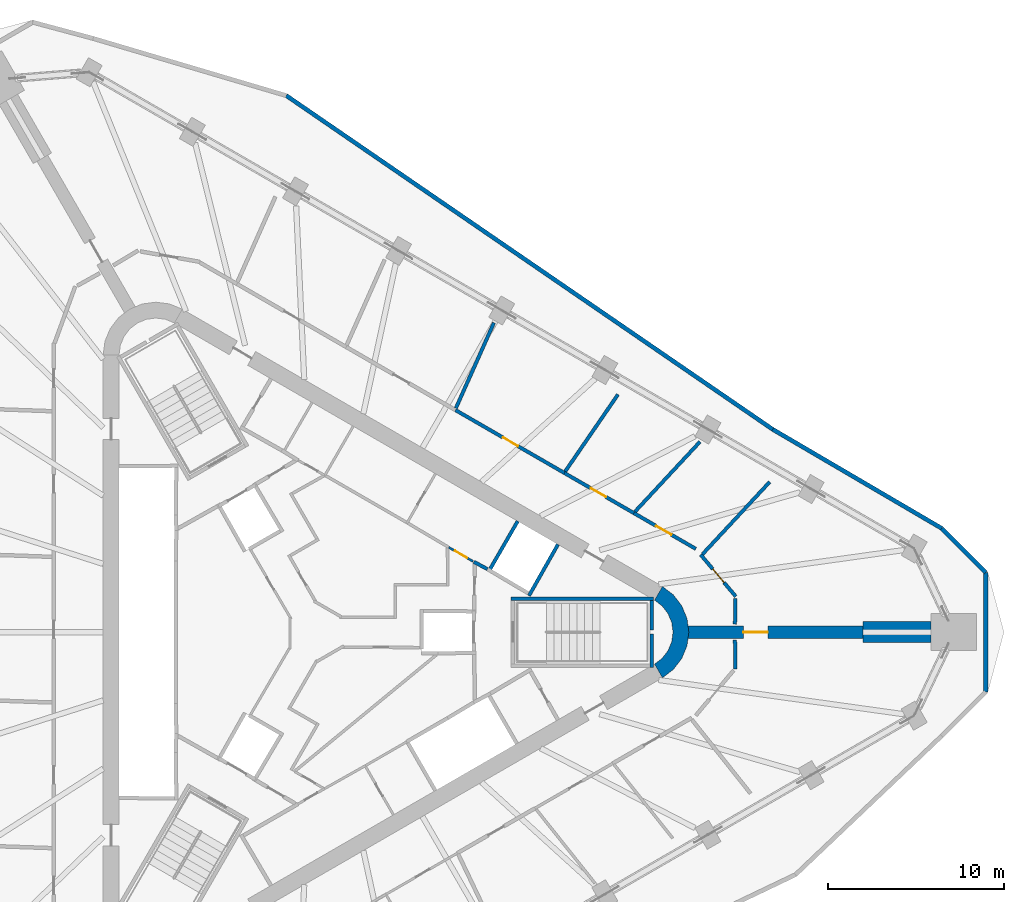
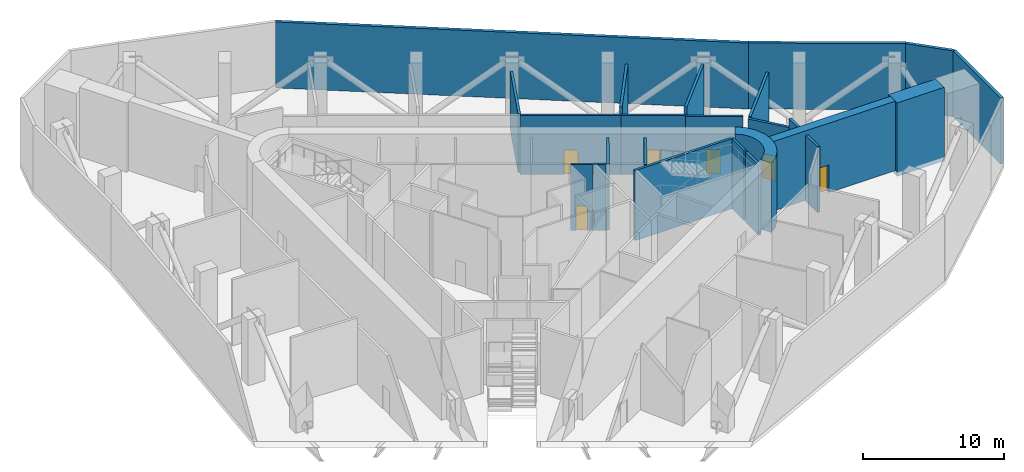
# One storey, part 7 of 12: 24 walls, 6 doors, 6 openings.
"""IFC4 building model written with IfcOpenShell, lengths in metres."""

from ifc_helpers import new_model, si_unit, direction, frame, frame_2d, origin, place, context, subcontext, project, spatial, polyline, rectangle, outline, extrude, material, layer, layer_set, type_object, element, fill, save


model = new_model("IFC4")

# Units and contexts
model_context = context("Model", 3, precision=1e-05, world=origin(), true_north=direction((0.0, 1.0)))
body_context = subcontext(model_context, "Body", "Model", "MODEL_VIEW")
ifc_project = project(units=[si_unit("LENGTHUNIT", "METRE"), si_unit("AREAUNIT", "SQUARE_METRE"), si_unit("VOLUMEUNIT", "CUBIC_METRE"), si_unit("PLANEANGLEUNIT", "RADIAN"), si_unit("MASSUNIT", "GRAM", prefix="KILO")], contexts=[model_context])

# Site, building, storey
site_placement = place(None, origin())
site = spatial("IfcSite", under=ifc_project, at=site_placement, CompositionType="ELEMENT")
building_placement = place(site_placement, origin())
building = spatial("IfcBuilding", under=site, at=building_placement, Name="Tanit Gate Tower", CompositionType="ELEMENT")
storey_placement = place(building_placement, frame((0.0, 0.0, 292.699951171875)))
storey = spatial("IfcBuildingStorey", under=building, at=storey_placement, Name="L65", CompositionType="ELEMENT", Elevation=292.699951171875)

# Wall, opening, door
ifc_material_1 = material(Name="Concrete C50/60", Category="concrete")
ifc_layer_1 = layer(ifc_material_1, 0.699951171875)
ifc_layer_set_1 = layer_set([ifc_layer_1], Name="BUTTRESS FIN 700 C50/60")
wall_type_1 = type_object("IfcWallType", Name="BUTTRESS FIN 700 C50/60", PredefinedType="SHEAR", material=ifc_layer_set_1)
wall_1_placement = place(storey_placement, frame((21.14990234375, 0.0, 0.0), z_axis=(0.0, 0.0, 1.0), x_axis=(1.0, 0.0, 0.0)))
wall_1 = element("IfcWall", 1, at=wall_1_placement, inside=storey, type_object=wall_type_1, Name="BUTTRESS FIN", PredefinedType="SHEAR", context=body_context, shape_type="SweptSolid", body=[
    extrude(rectangle(XDim=9.964599609375, YDim=0.699951171875, at=frame_2d((4.982421875, 0.0))), origin(), (0.0, 0.0, 1.0), 6.0),
])
opening_1_placement = place(wall_1_placement, frame((3.14990234375, 0.0, 0.0)))
opening_1 = element("IfcOpeningElement", 2, at=opening_1_placement, cuts=wall_1, Name="Opening P14-65-F-E-1", PredefinedType="OPENING", context=body_context, shape_type="SweptSolid", body=[
    extrude(rectangle(XDim=1.39990234375, YDim=2.39990234375, at=frame_2d((0.699951171875, 1.199951171875))), frame((0.0, 0.35986328125, 0.0), z_axis=(0.0, -1.0, 0.0), x_axis=(1.0, 0.0, 0.0)), (0.0, 0.0, 1.0), 0.719970703125),
])
ifc_material_2 = material(Name="Timber door leaf", Category="wood")
door_type_1 = type_object("IfcDoorType", Name="INT-DOOR-FIN-PAIR-1400", OperationType="NOTDEFINED", PredefinedType="NOTDEFINED", material=ifc_material_2)
door_1_placement = place(opening_1_placement, origin())
door_1 = element("IfcDoor", 3, at=door_1_placement, inside=storey, type_object=door_type_1, Name="Door P14-65-F-E-1", OperationType="DOUBLE_DOOR_SINGLE_SWING", OverallHeight=2.39990234375, OverallWidth=1.39990234375, PredefinedType="NOTDEFINED", context=body_context, shape_type="SweptSolid", body=[
    extrude(rectangle(XDim=1.39990234375, YDim=2.39990234375, at=frame_2d((0.699951171875, 1.199951171875))), frame((0.0, 0.02490234375, 0.0), z_axis=(0.0, -1.0, 0.0), x_axis=(1.0, 0.0, 0.0)), (0.0, 0.0, 1.0), 0.050048828125),
])
fill(opening_1, door_1)

# Walls
ifc_material_3 = material(Name="Concrete C50/60", Category="concrete")
ifc_layer_2 = layer(ifc_material_3, 0.89990234375)
ifc_layer_set_2 = layer_set([ifc_layer_2], Name="CORE WALL 900 C50/60")
wall_type_2 = type_object("IfcWallType", Name="CORE WALL 900 C50/60", PredefinedType="SHEAR", material=ifc_layer_set_2)
wall_2_placement = place(storey_placement, origin())
element("IfcWall", 4, at=wall_2_placement, inside=storey, type_object=wall_type_2, Name="CORE WALL CORNER", PredefinedType="SHEAR", context=body_context, shape_type="SweptSolid", body=[
    extrude(outline(polyline([(19.699951171875, -2.59814453125), (20.3212890625, -2.121337890625), (20.798095703125, -1.5), (21.097900390625, -0.776611328125), (21.199951171875, 0.0), (21.097900390625, 0.776611328125), (20.798095703125, 1.5), (20.3212890625, 2.121337890625), (19.699951171875, 2.59814453125), (19.25, 1.818603515625), (19.684814453125, 1.48486328125), (20.018798828125, 1.050048828125), (20.228515625, 0.54345703125), (20.300048828125, 0.0), (20.228515625, -0.54345703125), (20.018798828125, -1.050048828125), (19.684814453125, -1.48486328125), (19.25, -1.818603515625), (19.699951171875, -2.59814453125)])), origin(), (0.0, 0.0, 1.0), 6.0),
])
ifc_material_4 = material(Name="Concrete C30/37 with bronze anodised aluminium cladding", Category="concrete")
ifc_layer_3 = layer(ifc_material_4, 0.239990234375)
ifc_layer_set_3 = layer_set([ifc_layer_3], Name="Facade wall bronze clad 240")
wall_type_3 = type_object("IfcWallType", Name="Facade wall bronze clad 240", PredefinedType="SOLIDWALL", material=ifc_layer_set_3)
wall_3_placement = place(storey_placement, frame((35.5849609375, 5.8994140625, 0.0), z_axis=(0.0, 0.0, 1.0), x_axis=(-0.862820563859, 0.505510311055, 0.0)))
element("IfcWall", 5, at=wall_3_placement, inside=storey, type_object=wall_type_3, Name="Bronze-clad facade wall L65 NE1", PredefinedType="SOLIDWALL", context=body_context, shape_type="SweptSolid", body=[
    extrude(rectangle(XDim=11.142822265625, YDim=0.239990234375, at=frame_2d((5.5712890625, 0.0))), origin(), (0.0, 0.0, 1.0), 5.699951171875),
])
wall_4_placement = place(storey_placement, frame((25.970703125, 11.5322265625, 0.0), z_axis=(0.0, 0.0, 1.0), x_axis=(-0.824555025779, 0.565781768408, 0.0)))
element("IfcWall", 6, at=wall_4_placement, inside=storey, type_object=wall_type_3, Name="Bronze-clad facade wall L65 NE2", PredefinedType="SOLIDWALL", context=body_context, shape_type="SweptSolid", body=[
    extrude(rectangle(XDim=33.54736328125, YDim=0.239990234375, at=frame_2d((16.773681640625, 0.0))), origin(), (0.0, 0.0, 1.0), 5.699951171875),
])
wall_5_placement = place(storey_placement, frame((38.085205078125, -3.399169921875, 0.0), z_axis=(0.0, 0.0, 1.0), x_axis=(0.0, 1.0, 0.0)))
element("IfcWall", 7, at=wall_5_placement, inside=storey, type_object=wall_type_3, Name="Bronze-clad facade wall L65 E.arc2", PredefinedType="SOLIDWALL", context=body_context, shape_type="SweptSolid", body=[
    extrude(rectangle(XDim=6.79833984375, YDim=0.239990234375, at=frame_2d((3.399169921875, 0.0))), origin(), (0.0, 0.0, 1.0), 5.699951171875),
])
wall_6_placement = place(storey_placement, frame((38.085205078125, 3.399169921875, 0.0), z_axis=(0.0, 0.0, 1.0), x_axis=(-0.707106781187, 0.707106781187, 0.0)))
element("IfcWall", 8, at=wall_6_placement, inside=storey, type_object=wall_type_3, Name="Bronze-clad facade wall L65 E.arc3", PredefinedType="SOLIDWALL", context=body_context, shape_type="SweptSolid", body=[
    extrude(rectangle(XDim=3.535888671875, YDim=0.239990234375, at=frame_2d((1.76806640625, 0.0))), origin(), (0.0, 0.0, 1.0), 5.699951171875),
])
ifc_material_5 = material(Name="Fire-rated gypsum board partition")
ifc_layer_4 = layer(ifc_material_5, 0.199951171875)
ifc_layer_set_4 = layer_set([ifc_layer_4], Name="INT-WALL-COMPARTMENT")
wall_type_4 = type_object("IfcWallType", Name="INT-WALL-COMPARTMENT", PredefinedType="PARTITIONING", material=ifc_layer_set_4)
wall_7_placement = place(storey_placement, frame((8.97412109375, 3.998779296875, 0.0), z_axis=(0.0, 0.0, 1.0), x_axis=(0.880917147855, -0.473270513147, 0.0)))
element("IfcWall", 9, at=wall_7_placement, inside=storey, type_object=wall_type_4, Name="Wall Compartment W049", PredefinedType="PARTITIONING", context=body_context, shape_type="SweptSolid", body=[
    extrude(rectangle(XDim=0.8779296875, YDim=0.199951171875, at=frame_2d((0.43896484375, 0.0))), origin(), (0.0, 0.0, 1.0), 5.699951171875),
])

# Wall, opening, door
wall_8_placement = place(storey_placement, frame((23.8701171875, 2.026611328125, 0.0), z_axis=(0.0, 0.0, 1.0), x_axis=(-0.64276255853, 0.766065462837, 0.0)))
wall_8 = element("IfcWall", 10, at=wall_8_placement, inside=storey, type_object=wall_type_4, Name="Wall Compartment W105", PredefinedType="PARTITIONING", context=body_context, shape_type="SweptSolid", body=[
    extrude(rectangle(XDim=3.106689453125, YDim=0.199951171875, at=frame_2d((1.55322265625, 0.0))), origin(), (0.0, 0.0, 1.0), 4.880126953125),
])
opening_2_placement = place(wall_8_placement, frame((1.037109375, 0.0, 0.0)))
opening_2 = element("IfcOpeningElement", 11, at=opening_2_placement, cuts=wall_8, Name="Opening F10-65-26", PredefinedType="OPENING", context=body_context, shape_type="SweptSolid", body=[
    extrude(rectangle(XDim=1.0, YDim=2.10009765625, at=frame_2d((0.5, 1.050048828125))), frame((0.0, 0.10986328125, 0.0), z_axis=(0.0, -1.0, 0.0), x_axis=(1.0, 0.0, 0.0)), (0.0, 0.0, 1.0), 0.219970703125),
])
ifc_material_6 = material(Name="Fire-rated steel door leaf", Category="steel")
door_type_2 = type_object("IfcDoorType", Name="INT-DOOR-FIRE-1000", OperationType="NOTDEFINED", PredefinedType="USERDEFINED", material=ifc_material_6)
door_2_placement = place(opening_2_placement, origin())
door_2 = element("IfcDoor", 12, at=door_2_placement, inside=storey, type_object=door_type_2, Name="Door F10-65-26", ObjectType="FIRE DOOR", OperationType="SINGLE_SWING_RIGHT", OverallHeight=2.10009765625, OverallWidth=1.0, PredefinedType="USERDEFINED", context=body_context, shape_type="SweptSolid", body=[
    extrude(rectangle(XDim=1.0, YDim=2.10009765625, at=frame_2d((0.5, 1.050048828125))), frame((0.0, 0.02490234375, 0.0), z_axis=(0.0, -1.0, 0.0), x_axis=(1.0, 0.0, 0.0)), (0.0, 0.0, 1.0), 0.050048828125),
])
fill(opening_2, door_2)

# Wall
wall_9_placement = place(storey_placement, frame((23.82275390625, 0.449951171875, 0.0), z_axis=(0.0, 0.0, 1.0), x_axis=(0.014625200909, 0.99989304603, 0.0)))
element("IfcWall", 13, at=wall_9_placement, inside=storey, type_object=wall_type_4, Name="Wall Compartment W106", PredefinedType="PARTITIONING", context=body_context, shape_type="SweptSolid", body=[
    extrude(rectangle(XDim=1.452392578125, YDim=0.199951171875, at=frame_2d((0.72607421875, 0.0))), origin(), (0.0, 0.0, 1.0), 5.699951171875),
])

# Wall, opening, door
wall_10_placement = place(storey_placement, frame((21.59619140625, 4.736328125, 0.0), z_axis=(0.0, 0.0, 1.0), x_axis=(-0.86599454633, 0.50005344287, 0.0)))
wall_10 = element("IfcWall", 14, at=wall_10_placement, inside=storey, type_object=wall_type_4, Name="Wall Compartment W107", PredefinedType="PARTITIONING", context=body_context, shape_type="SweptSolid", body=[
    extrude(rectangle(XDim=4.06494140625, YDim=0.199951171875, at=frame_2d((2.032470703125, 0.0))), origin(), (0.0, 0.0, 1.0), 4.97998046875),
])
opening_3_placement = place(wall_10_placement, frame((1.599853515625, 0.0, 0.0)))
opening_3 = element("IfcOpeningElement", 15, at=opening_3_placement, cuts=wall_10, Name="Opening F10-65-27", PredefinedType="OPENING", context=body_context, shape_type="SweptSolid", body=[
    extrude(rectangle(XDim=1.0, YDim=2.10009765625, at=frame_2d((0.5, 1.050048828125))), frame((0.0, 0.10986328125, 0.0), z_axis=(0.0, -1.0, 0.0), x_axis=(1.0, 0.0, 0.0)), (0.0, 0.0, 1.0), 0.219970703125),
])
door_3_placement = place(opening_3_placement, origin())
door_3 = element("IfcDoor", 16, at=door_3_placement, inside=storey, type_object=door_type_2, Name="Door F10-65-27", ObjectType="FIRE DOOR", OperationType="SINGLE_SWING_RIGHT", OverallHeight=2.10009765625, OverallWidth=1.0, PredefinedType="USERDEFINED", context=body_context, shape_type="SweptSolid", body=[
    extrude(rectangle(XDim=1.0, YDim=2.10009765625, at=frame_2d((0.5, 1.050048828125))), frame((0.0, 0.02490234375, 0.0), z_axis=(0.0, -1.0, 0.0), x_axis=(1.0, 0.0, 0.0)), (0.0, 0.0, 1.0), 0.050048828125),
])
fill(opening_3, door_3)

wall_11_placement = place(storey_placement, frame((18.075927734375, 6.76904296875, 0.0), z_axis=(0.0, 0.0, 1.0), x_axis=(-0.866026870347, 0.499997459831, 0.0)))
wall_11 = element("IfcWall", 17, at=wall_11_placement, inside=storey, type_object=wall_type_4, Name="Wall Compartment W108", PredefinedType="PARTITIONING", context=body_context, shape_type="SweptSolid", body=[
    extrude(rectangle(XDim=4.5595703125, YDim=0.199951171875, at=frame_2d((2.27978515625, 0.0))), origin(), (0.0, 0.0, 1.0), 5.070068359375),
])
opening_4_placement = place(wall_11_placement, frame((1.83349609375, 0.0, 0.0)))
opening_4 = element("IfcOpeningElement", 18, at=opening_4_placement, cuts=wall_11, Name="Opening F10-65-28", PredefinedType="OPENING", context=body_context, shape_type="SweptSolid", body=[
    extrude(rectangle(XDim=1.0, YDim=2.10009765625, at=frame_2d((0.5, 1.050048828125))), frame((0.0, 0.10986328125, 0.0), z_axis=(0.0, -1.0, 0.0), x_axis=(1.0, 0.0, 0.0)), (0.0, 0.0, 1.0), 0.219970703125),
])
door_4_placement = place(opening_4_placement, origin())
door_4 = element("IfcDoor", 19, at=door_4_placement, inside=storey, type_object=door_type_2, Name="Door F10-65-28", ObjectType="FIRE DOOR", OperationType="SINGLE_SWING_RIGHT", OverallHeight=2.10009765625, OverallWidth=1.0, PredefinedType="USERDEFINED", context=body_context, shape_type="SweptSolid", body=[
    extrude(rectangle(XDim=1.0, YDim=2.10009765625, at=frame_2d((0.5, 1.050048828125))), frame((0.0, 0.02490234375, 0.0), z_axis=(0.0, -1.0, 0.0), x_axis=(1.0, 0.0, 0.0)), (0.0, 0.0, 1.0), 0.050048828125),
])
fill(opening_4, door_4)

wall_12_placement = place(storey_placement, frame((14.127197265625, 9.048828125, 0.0), z_axis=(0.0, 0.0, 1.0), x_axis=(-0.86603096638, 0.499990365178, 0.0)))
wall_12 = element("IfcWall", 20, at=wall_12_placement, inside=storey, type_object=wall_type_4, Name="Wall Compartment W109", PredefinedType="PARTITIONING", context=body_context, shape_type="SweptSolid", body=[
    extrude(rectangle(XDim=7.152099609375, YDim=0.199951171875, at=frame_2d((3.576171875, 0.0))), origin(), (0.0, 0.0, 1.0), 5.070068359375),
])
opening_5_placement = place(wall_12_placement, frame((3.0439453125, 0.0, 0.0)))
opening_5 = element("IfcOpeningElement", 21, at=opening_5_placement, cuts=wall_12, Name="Opening F10-65-29", PredefinedType="OPENING", context=body_context, shape_type="SweptSolid", body=[
    extrude(rectangle(XDim=1.0, YDim=2.10009765625, at=frame_2d((0.5, 1.050048828125))), frame((0.0, 0.10986328125, 0.0), z_axis=(0.0, -1.0, 0.0), x_axis=(1.0, 0.0, 0.0)), (0.0, 0.0, 1.0), 0.219970703125),
])
door_5_placement = place(opening_5_placement, origin())
door_5 = element("IfcDoor", 22, at=door_5_placement, inside=storey, type_object=door_type_2, Name="Door F10-65-29", ObjectType="FIRE DOOR", OperationType="SINGLE_SWING_RIGHT", OverallHeight=2.10009765625, OverallWidth=1.0, PredefinedType="USERDEFINED", context=body_context, shape_type="SweptSolid", body=[
    extrude(rectangle(XDim=1.0, YDim=2.10009765625, at=frame_2d((0.5, 1.050048828125))), frame((0.0, 0.02490234375, 0.0), z_axis=(0.0, -1.0, 0.0), x_axis=(1.0, 0.0, 0.0)), (0.0, 0.0, 1.0), 0.050048828125),
])
fill(opening_5, door_5)

# Walls
wall_13_placement = place(storey_placement, frame((25.794677734375, 8.537841796875, 0.0), z_axis=(0.0, 0.0, 1.0), x_axis=(-0.680793666596, -0.732475244307, 0.0)))
element("IfcWall", 23, at=wall_13_placement, inside=storey, type_object=wall_type_4, Name="Wall Compartment W115", PredefinedType="PARTITIONING", context=body_context, shape_type="SweptSolid", body=[
    extrude(rectangle(XDim=5.6025390625, YDim=0.199951171875, at=frame_2d((2.80126953125, 0.0))), origin(), (0.0, 0.0, 1.0), 4.97998046875),
])
wall_14_placement = place(storey_placement, frame((18.137451171875, 6.848876953125, 0.0), z_axis=(0.0, 0.0, 1.0), x_axis=(0.680749483241, 0.732516307714, 0.0)))
element("IfcWall", 24, at=wall_14_placement, inside=storey, type_object=wall_type_4, Name="Wall Compartment W116", PredefinedType="PARTITIONING", context=body_context, shape_type="SweptSolid", body=[
    extrude(rectangle(XDim=5.42822265625, YDim=0.199951171875, at=frame_2d((2.714111328125, 0.0))), origin(), (0.0, 0.0, 1.0), 5.699951171875),
])
wall_15_placement = place(storey_placement, frame((14.169921875, 9.1396484375, 0.0), z_axis=(0.0, 0.0, 1.0), x_axis=(0.565765233093, 0.824566371509, 0.0)))
element("IfcWall", 25, at=wall_15_placement, inside=storey, type_object=wall_type_4, Name="Wall Compartment W117", PredefinedType="PARTITIONING", context=body_context, shape_type="SweptSolid", body=[
    extrude(rectangle(XDim=5.307373046875, YDim=0.199951171875, at=frame_2d((2.65380859375, 0.0))), origin(), (0.0, 0.0, 1.0), 5.699951171875),
])
wall_16_placement = place(storey_placement, frame((10.116455078125, 17.58984375, 0.0), z_axis=(0.0, 0.0, 1.0), x_axis=(-0.406734425958, -0.913546444764, 0.0)))
element("IfcWall", 26, at=wall_16_placement, inside=storey, type_object=wall_type_4, Name="Wall Compartment W118", PredefinedType="PARTITIONING", context=body_context, shape_type="SweptSolid", body=[
    extrude(rectangle(XDim=5.320556640625, YDim=0.199951171875, at=frame_2d((2.66015625, 0.0))), origin(), (0.0, 0.0, 1.0), 5.070068359375),
])
wall_17_placement = place(storey_placement, frame((23.8466796875, -2.09228515625, 0.0), z_axis=(0.0, 0.0, 1.0), x_axis=(-0.014566612506, 0.999893901272, 0.0)))
element("IfcWall", 27, at=wall_17_placement, inside=storey, type_object=wall_type_4, Name="Wall Compartment W131", PredefinedType="PARTITIONING", context=body_context, shape_type="SweptSolid", body=[
    extrude(rectangle(XDim=1.642578125, YDim=0.199951171875, at=frame_2d((0.8212890625, 0.0))), origin(), (0.0, 0.0, 1.0), 5.699951171875),
])

# Wall, opening, door
ifc_material_7 = material(Name="Gypsum board partition")
ifc_layer_5 = layer(ifc_material_7, 0.1201171875)
ifc_layer_set_5 = layer_set([ifc_layer_5], Name="INT-WALL-PARTITION")
wall_type_5 = type_object("IfcWallType", Name="INT-WALL-PARTITION", PredefinedType="PARTITIONING", material=ifc_layer_set_5)
wall_18_placement = place(storey_placement, frame((7.550048828125, 4.82080078125, 0.0), z_axis=(0.0, 0.0, 1.0), x_axis=(0.866019818373, -0.500009674092, 0.0)))
wall_18 = element("IfcWall", 28, at=wall_18_placement, inside=storey, type_object=wall_type_5, Name="Wall Partition W051", PredefinedType="PARTITIONING", context=body_context, shape_type="SweptSolid", body=[
    extrude(rectangle(XDim=1.59423828125, YDim=0.1201171875, at=frame_2d((0.797119140625, 0.0))), origin(), (0.0, 0.0, 1.0), 5.699951171875),
])
opening_6_placement = place(wall_18_placement, frame((0.397216796875, 0.0, 0.0)))
opening_6 = element("IfcOpeningElement", 29, at=opening_6_placement, cuts=wall_18, Name="Opening R08-65-14", PredefinedType="OPENING", context=body_context, shape_type="SweptSolid", body=[
    extrude(rectangle(XDim=0.800048828125, YDim=2.10009765625, at=frame_2d((0.39990234375, 1.050048828125))), frame((0.0, 0.070068359375, 0.0), z_axis=(0.0, -1.0, 0.0), x_axis=(1.0, 0.0, 0.0)), (0.0, 0.0, 1.0), 0.14013671875),
])
ifc_material_8 = material(Name="Timber door leaf", Category="wood")
door_type_3 = type_object("IfcDoorType", Name="INT-DOOR-RISER-800", OperationType="NOTDEFINED", PredefinedType="USERDEFINED", material=ifc_material_8)
door_6_placement = place(opening_6_placement, origin())
door_6 = element("IfcDoor", 30, at=door_6_placement, inside=storey, type_object=door_type_3, Name="Door R08-65-14", ObjectType="FIRE DOOR", OperationType="SINGLE_SWING_LEFT", OverallHeight=2.10009765625, OverallWidth=0.800048828125, PredefinedType="USERDEFINED", context=body_context, shape_type="SweptSolid", body=[
    extrude(rectangle(XDim=0.800048828125, YDim=2.10009765625, at=frame_2d((0.39990234375, 1.050048828125))), frame((0.0, 0.02490234375, 0.0), z_axis=(0.0, -1.0, 0.0), x_axis=(1.0, 0.0, 0.0)), (0.0, 0.0, 1.0), 0.050048828125),
])
fill(opening_6, door_6)

# Walls
ifc_material_9 = material(Name="Gypsum shaft wall system")
ifc_layer_6 = layer(ifc_material_9, 0.199951171875)
ifc_layer_set_6 = layer_set([ifc_layer_6], Name="INT-WALL-SHAFT")
wall_type_6 = type_object("IfcWallType", Name="INT-WALL-SHAFT", PredefinedType="PLUMBINGWALL", material=ifc_layer_set_6)
wall_19_placement = place(storey_placement, frame((9.8466796875, 3.494873046875, 0.0), z_axis=(0.0, 0.0, 1.0), x_axis=(0.499984717929, 0.866034226713, 0.0)))
element("IfcWall", 31, at=wall_19_placement, inside=storey, type_object=wall_type_6, Name="Wall Shaft W012", PredefinedType="PLUMBINGWALL", context=body_context, shape_type="SweptSolid", body=[
    extrude(rectangle(XDim=3.25, YDim=0.199951171875, at=frame_2d((1.625, 0.0))), origin(), (0.0, 0.0, 1.0), 5.699951171875),
])
wall_20_placement = place(storey_placement, frame((12.10986328125, 2.07275390625, 0.0), z_axis=(0.0, 0.0, 1.0), x_axis=(0.49196600604, 0.870614408852, 0.0)))
element("IfcWall", 32, at=wall_20_placement, inside=storey, type_object=wall_type_6, Name="Wall Shaft W013", PredefinedType="PLUMBINGWALL", context=body_context, shape_type="SweptSolid", body=[
    extrude(rectangle(XDim=3.35009765625, YDim=0.199951171875, at=frame_2d((1.675048828125, 0.0))), origin(), (0.0, 0.0, 1.0), 5.699951171875),
])
ifc_material_10 = material(Name="Concrete C40/50", Category="concrete")
ifc_layer_7 = layer(ifc_material_10, 0.199951171875)
ifc_layer_set_7 = layer_set([ifc_layer_7], Name="INT-WALL-STAIR")
wall_type_7 = type_object("IfcWallType", Name="INT-WALL-STAIR", PredefinedType="SHEAR", material=ifc_layer_set_7)
wall_21_placement = place(storey_placement, frame((19.199951171875, 1.89990234375, -0.349853515625), z_axis=(0.0, 0.0, 1.0), x_axis=(-1.0, 0.0, 0.0)))
element("IfcWall", 33, at=wall_21_placement, inside=storey, type_object=wall_type_7, Name="Wall Stair W020", PredefinedType="SHEAR", context=body_context, shape_type="SweptSolid", body=[
    extrude(rectangle(XDim=8.099853515625, YDim=0.199951171875, at=frame_2d((4.0498046875, 0.0))), origin(), (0.0, 0.0, 1.0), 6.0498046875),
])
wall_22_placement = place(storey_placement, frame((19.10009765625, -2.0, -0.349853515625), z_axis=(0.0, 0.0, 1.0), x_axis=(0.0, 1.0, 0.0)))
element("IfcWall", 34, at=wall_22_placement, inside=storey, type_object=wall_type_7, Name="Wall Stair W022", PredefinedType="SHEAR", context=body_context, shape_type="SweptSolid", body=[
    extrude(rectangle(XDim=1.889892578125, YDim=0.199951171875, at=frame_2d((0.94482421875, 0.0))), origin(), (0.0, 0.0, 1.0), 6.0498046875),
])
wall_23_placement = place(storey_placement, frame((19.10009765625, 0.110107421875, -0.349853515625), z_axis=(0.0, 0.0, 1.0), x_axis=(0.0, 1.0, 0.0)))
element("IfcWall", 35, at=wall_23_placement, inside=storey, type_object=wall_type_7, Name="Wall Stair W021", PredefinedType="SHEAR", context=body_context, shape_type="SweptSolid", body=[
    extrude(rectangle(XDim=1.68994140625, YDim=0.199951171875, at=frame_2d((0.844970703125, 0.0))), origin(), (0.0, 0.0, 1.0), 6.0498046875),
])
ifc_material_11 = material(Name="Concrete C50/60", Category="concrete")
ifc_layer_8 = layer(ifc_material_11, 1.199951171875)
ifc_layer_set_8 = layer_set([ifc_layer_8], Name="OUTRIGGER WALL 1200 C50/60")
wall_type_8 = type_object("IfcWallType", Name="OUTRIGGER WALL 1200 C50/60", PredefinedType="SHEAR", material=ifc_layer_set_8)
wall_24_placement = place(storey_placement, frame((31.114501953125, 0.0, -0.349853515625), z_axis=(0.0, 0.0, 1.0), x_axis=(1.0, 0.0, 0.0)))
element("IfcWall", 36, at=wall_24_placement, inside=storey, type_object=wall_type_8, Name="OUTRIGGER WALL", PredefinedType="SHEAR", context=body_context, shape_type="SweptSolid", body=[
    extrude(rectangle(XDim=3.855712890625, YDim=1.199951171875, at=frame_2d((1.927734375, 0.0))), origin(), (0.0, 0.0, 1.0), 6.349853515625),
])

save(model, "model.ifc")
